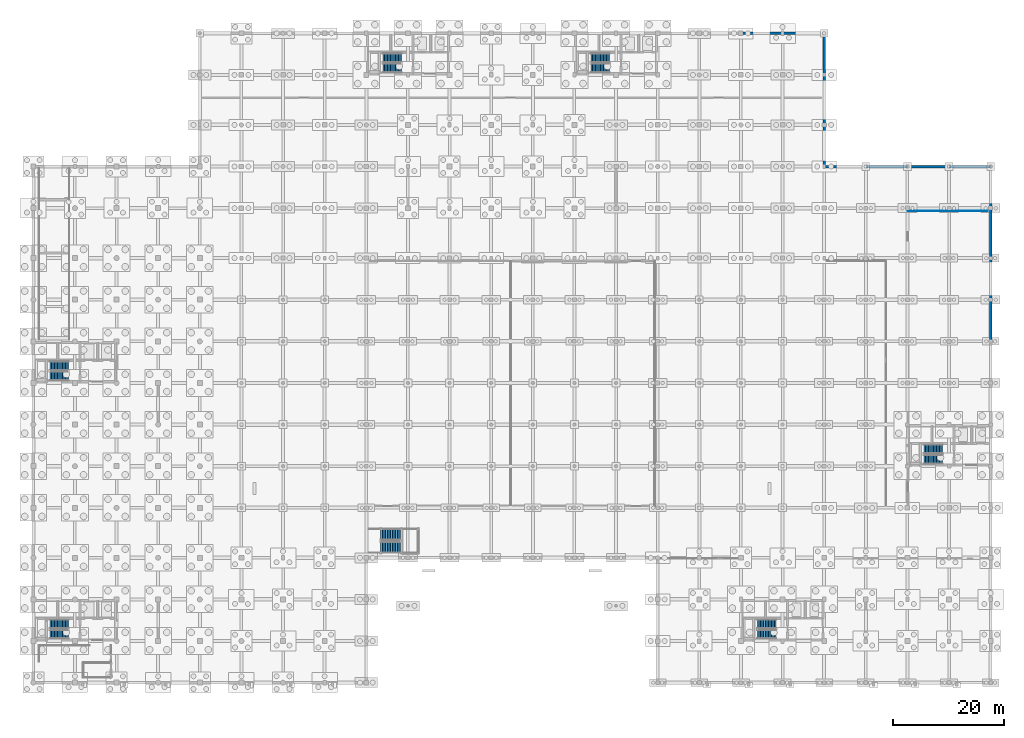
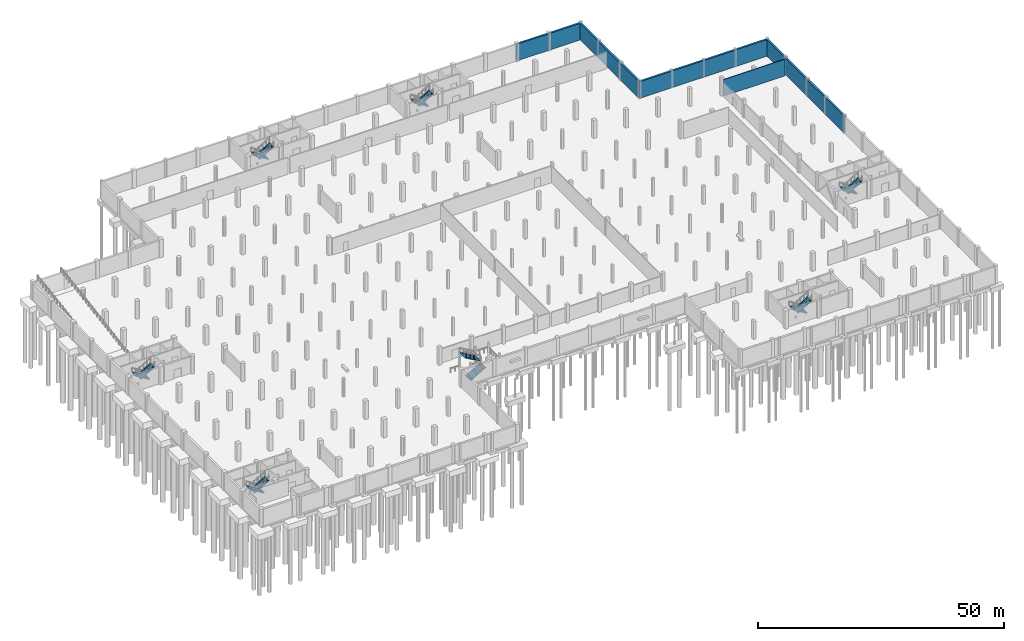
# One storey, part 32 of 42: 14 stair flights, 14 walls, 7 elements without a shape of their own.
"""IFC4 building model written with IfcOpenShell, lengths in metres."""

import ifcopenshell
import ifcopenshell.guid

model = None  # the IFC model being written
_history = None  # IfcOwnerHistory: only IFC2X3 demands one
_inside = {}  # id of a spatial element -> (the spatial element, [elements in it])
_under = {}  # id of a project, library or spatial element -> (it, [spatial elements below it])
_declared = {}  # id of a project -> (the project, [libraries it declares])
_typed = {}  # id of a type object -> (the type object, [elements of that type])
_made_of = {}  # id of a material, layer set ... -> (it, [elements and type objects made of it])


def new_model(schema):
    """Start an empty IFC model of exactly this schema.

    Asked for "IFC4X3", IfcOpenShell would pick the latest addendum, in which some entities
    have other attributes; the version numbers below select the first issue.
    IFC2X3 requires an IfcOwnerHistory on every rooted entity: one is made here for all.
    """
    global model, _history
    if schema == "IFC4X3":
        model = ifcopenshell.file(schema_version=(4, 3, 0, 0))
    else:
        model = ifcopenshell.file(schema=schema)
    _inside.clear()
    _under.clear()
    _declared.clear()
    _typed.clear()
    _made_of.clear()
    _history = None
    if model.schema == "IFC2X3":
        org = make("IfcOrganization", Name="unknown")
        user = make(
            "IfcPersonAndOrganization",
            ThePerson=make("IfcPerson", FamilyName="unknown"),
            TheOrganization=org,
        )
        app = make(
            "IfcApplication",
            ApplicationDeveloper=org,
            Version="unknown",
            ApplicationFullName="unknown",
            ApplicationIdentifier="unknown",
        )
        _history = make(
            "IfcOwnerHistory",
            OwningUser=user,
            OwningApplication=app,
            ChangeAction="ADDED",
            CreationDate=0,
        )
    return model


def make(cls, **values):
    """One entity of the class cls with the attributes given. An attribute that is None is left unset."""
    return model.create_entity(
        cls, **{name: value for name, value in values.items() if value is not None}
    )


def rooted(cls, **values):
    """An entity with a GlobalId (a new one), such as an element, a storey or a relation."""
    return make(cls, GlobalId=ifcopenshell.guid.new(), OwnerHistory=_history, **values)


def si_unit(unit_type, name, prefix=None):
    """IfcSIUnit, for example si_unit("LENGTHUNIT", "METRE", prefix="MILLI")."""
    return make("IfcSIUnit", UnitType=unit_type, Prefix=prefix, Name=name)


def assignment(units):
    """IfcUnitAssignment: the units of a project."""
    return None if units is None else make("IfcUnitAssignment", Units=units)


def point(xyz):
    """IfcCartesianPoint."""
    return None if xyz is None else make("IfcCartesianPoint", Coordinates=xyz)


def direction(xyz):
    """IfcDirection."""
    return None if xyz is None else make("IfcDirection", DirectionRatios=xyz)


def frame(location, z_axis=None, x_axis=None):
    """IfcAxis2Placement3D, a coordinate frame: its origin and axes. An axis left out is left unset."""
    return make(
        "IfcAxis2Placement3D",
        Location=point(location),
        Axis=direction(z_axis),
        RefDirection=direction(x_axis),
    )


def frame_2d(location, x_axis=None):
    """IfcAxis2Placement2D, a coordinate frame in the plane: its origin and x axis."""
    return make(
        "IfcAxis2Placement2D", Location=point(location), RefDirection=direction(x_axis)
    )


def origin():
    """The frame at (0, 0, 0) with its axes left unset."""
    return frame((0.0, 0.0, 0.0))


def place(relative_to, where):
    """IfcLocalPlacement: puts the frame where relative to a parent placement (None: the world)."""
    return make(
        "IfcLocalPlacement", PlacementRelTo=relative_to, RelativePlacement=where
    )


def context(
    kind, dimensions, precision=None, world=None, true_north=None, identifier=None
):
    """IfcGeometricRepresentationContext, for example the 3D "Model" context."""
    return make(
        "IfcGeometricRepresentationContext",
        ContextIdentifier=identifier,
        ContextType=kind,
        CoordinateSpaceDimension=dimensions,
        Precision=precision,
        WorldCoordinateSystem=world,
        TrueNorth=true_north,
    )


def subcontext(parent, identifier, kind, view, scale=None):
    """IfcGeometricRepresentationSubContext, for example "Body" below "Model"."""
    return make(
        "IfcGeometricRepresentationSubContext",
        ContextIdentifier=identifier,
        ContextType=kind,
        ParentContext=parent,
        TargetScale=scale,
        TargetView=view,
    )


def project(units=None, contexts=None):
    """IfcProject with its units and contexts."""
    return rooted(
        "IfcProject",
        Name="project",
        RepresentationContexts=contexts,
        UnitsInContext=assignment(units),
    )


def spatial(cls, under=None, at=None, **own):
    """A site, building, storey or space (cls), placed at a placement, below another one or the project."""
    s = rooted(cls, ObjectPlacement=at, **own)
    if under is not None:
        _under.setdefault(under.id(), (under, []))[1].append(s)
    return s


def polyline(points):
    """IfcPolyline through the points."""
    return make("IfcPolyline", Points=[point(p) for p in points])


def profile(cls, at=None, kind="AREA", **sizes):
    """A parametric profile (cls). Its sizes go by their IFC names, for example OverallWidth=200.0."""
    return make(cls, ProfileType=kind, Position=at, **sizes)


def rectangle(**sizes):
    """IfcRectangleProfileDef."""
    return profile("IfcRectangleProfileDef", **sizes)


def outline(outer, holes=None, kind="AREA"):
    """IfcArbitraryClosedProfileDef: a profile drawn as a closed curve; with holes, ...WithVoids."""
    if holes is None:
        return make("IfcArbitraryClosedProfileDef", ProfileType=kind, OuterCurve=outer)
    return make(
        "IfcArbitraryProfileDefWithVoids",
        ProfileType=kind,
        OuterCurve=outer,
        InnerCurves=holes,
    )


def extrude(swept, where, along, depth):
    """IfcExtrudedAreaSolid: the profile swept, set in the frame where, extruded along a direction by depth."""
    return make(
        "IfcExtrudedAreaSolid",
        SweptArea=swept,
        Position=where,
        ExtrudedDirection=direction(along),
        Depth=depth,
    )


def shape(context_of_items, identifier, shape_type, items):
    """IfcShapeRepresentation: the items that make up one representation, for example the "Body"."""
    return make(
        "IfcShapeRepresentation",
        ContextOfItems=context_of_items,
        RepresentationIdentifier=identifier,
        RepresentationType=shape_type,
        Items=items,
    )


def material(Name=None, Category=None):
    """IfcMaterial."""
    return make("IfcMaterial", Name=Name, Category=Category)


def layer(
    of_material, thickness, ventilated=None, Name=None, Category=None, Priority=None
):
    """IfcMaterialLayer: one layer of a wall or slab, of a material (None: an air gap)."""
    return make(
        "IfcMaterialLayer",
        Material=of_material,
        LayerThickness=thickness,
        IsVentilated=ventilated,
        Name=Name,
        Category=Category,
        Priority=Priority,
    )


def layer_set(layers, Name=None):
    """IfcMaterialLayerSet."""
    return make("IfcMaterialLayerSet", MaterialLayers=layers, LayerSetName=Name)


def made_of(thing, what):
    """Note that an element or type object is made of a material, layer set ...; save() writes the relation."""
    if what is not None:
        _made_of.setdefault(what.id(), (what, []))[1].append(thing)
    return thing


def type_object(cls, material=None, **own):
    """A type object (cls), such as IfcWallType, which elements share."""
    return made_of(rooted(cls, **own), material)


def element(
    cls,
    number,
    at=None,
    inside=None,
    cuts=None,
    type_object=None,
    material=None,
    context=None,
    identifier="Body",
    shape_type=None,
    held_by="IfcProductDefinitionShape",
    body=None,
    shapes=None,
    **own,
):
    """One element of the class cls, such as IfcWall. Its Tag is "e" and its number.

    at: its placement. inside: the storey or other place that contains it. cuts: it is an
    opening in that element (IfcRelVoidsElement). A single representation is given by context,
    identifier, shape_type and body (its items); several are given by shapes. held_by: the class
    of the entity that holds the representations. save() writes the other relations.
    """
    e = rooted(cls, Tag="e%d" % number, ObjectPlacement=at, **own)
    if body is not None:
        shapes = [shape(context, identifier, shape_type, body)]
    if shapes is not None:
        e.Representation = make(held_by, Representations=shapes)
    if inside is not None:
        _inside.setdefault(inside.id(), (inside, []))[1].append(e)
    if cuts is not None:
        rooted(
            "IfcRelVoidsElement", RelatingBuildingElement=cuts, RelatedOpeningElement=e
        )
    if type_object is not None:
        _typed.setdefault(type_object.id(), (type_object, []))[1].append(e)
    return made_of(e, material)


def aggregate(whole, parts):
    """IfcRelAggregates: a whole, such as a stair, and the parts it consists of."""
    return rooted("IfcRelAggregates", RelatingObject=whole, RelatedObjects=parts)


def save(model, path):
    """Write the relations noted so far, then the file.

    IfcRelAggregates (storeys below a building ...), IfcRelContainedInSpatialStructure (elements
    in a storey), IfcRelDefinesByType, IfcRelAssociatesMaterial and IfcRelDeclares: one each for
    every whole, place, type object, material and project.
    """
    for whole, parts in _under.values():
        aggregate(whole, parts)
    for where, things in _inside.values():
        rooted(
            "IfcRelContainedInSpatialStructure",
            RelatedElements=things,
            RelatingStructure=where,
        )
    for kind, things in _typed.values():
        rooted("IfcRelDefinesByType", RelatedObjects=things, RelatingType=kind)
    for what, things in _made_of.values():
        rooted("IfcRelAssociatesMaterial", RelatedObjects=things, RelatingMaterial=what)
    for by, libraries in _declared.values():
        rooted("IfcRelDeclares", RelatingContext=by, RelatedDefinitions=libraries)
    model.write(path)


model = new_model("IFC4")

# Units and contexts
model_context = context("Model", 3, precision=1e-05, world=origin(), true_north=direction((0.0, 1.0)))
body_context = subcontext(model_context, "Body", "Model", "MODEL_VIEW")
ifc_project = project(units=[si_unit("LENGTHUNIT", "METRE"), si_unit("AREAUNIT", "SQUARE_METRE"), si_unit("VOLUMEUNIT", "CUBIC_METRE"), si_unit("PLANEANGLEUNIT", "RADIAN"), si_unit("MASSUNIT", "GRAM", prefix="KILO")], contexts=[model_context])

# Site, building, storey
site_placement = place(None, origin())
site = spatial("IfcSite", under=ifc_project, at=site_placement, CompositionType="ELEMENT")
building_placement = place(site_placement, origin())
building = spatial("IfcBuilding", under=site, at=building_placement, Name="Dalvernix Boulevard General Hospital", CompositionType="ELEMENT")
storey_placement = place(building_placement, frame((0.0, 0.0, -4.5)))
storey = spatial("IfcBuildingStorey", under=building, at=storey_placement, Name="B1", CompositionType="ELEMENT", Elevation=-4.5)

# Walls
ifc_material_1 = material(Name="Acoustic double-stud gypsum inpatient partition")
ifc_layer_1 = layer(ifc_material_1, 0.14990234375)
ifc_layer_set_1 = layer_set([ifc_layer_1], Name="Acoustic double-stud gypsum inpatient partition (WAL-IW-04)")
wall_type_1 = type_object("IfcWallType", Name="WAL-IW-04", PredefinedType="PARTITIONING", material=ifc_layer_set_1)
wall_1_placement = place(storey_placement, frame((157.60009765625, 85.0, 0.0), z_axis=(0.0, 0.0, 1.0), x_axis=(1.0, 0.0, 0.0)))
element("IfcWall", 1, at=wall_1_placement, inside=storey, type_object=wall_type_1, Name="B1 Potable and Fire Water Treatment Plant Room partition", PredefinedType="PARTITIONING", context=body_context, shape_type="SweptSolid", body=[
    extrude(rectangle(XDim=14.39990234375, YDim=0.14990234375, at=frame_2d((7.199951171875, 0.0))), origin(), (0.0, 0.0, 1.0), 4.125),
])
ifc_material_2 = material(Name="Concrete C40/50", Category="concrete")
ifc_layer_2 = layer(ifc_material_2, 0.449951171875)
ifc_layer_set_2 = layer_set([ifc_layer_2], Name="Concrete C40/50 (WAL-RET-01)")
wall_type_2 = type_object("IfcWallType", Name="WAL-RET-01", PredefinedType="SOLIDWALL", material=ifc_layer_set_2)
for number, where, z_axis, x_axis, name in (
    (2, (127.5, 117.0, 0.0), (0.0, 0.0, 1.0), (1.0, 0.0, 0.0), "B1 basement retaining wall 28"),
    (3, (135.0, 117.0, 0.0), (0.0, 0.0, 1.0), (1.0, 0.0, 0.0), "B1 basement retaining wall 29"),
    (4, (142.5, 117.0, 0.0), (0.0, 0.0, 1.0), (0.0, -1.0, 0.0), "B1 basement retaining wall 30"),
):
    element("IfcWall", number, at=place(storey_placement, frame(where, z_axis=z_axis, x_axis=x_axis)), inside=storey, type_object=wall_type_2, Name=name, PredefinedType="SOLIDWALL", context=body_context, shape_type="SweptSolid", body=[
        extrude(rectangle(XDim=7.5, YDim=0.449951171875, at=frame_2d((3.75, 0.0))), origin(), (0.0, 0.0, 1.0), 4.139892578125),
    ])
wall_2_placement = place(storey_placement, frame((142.5, 109.5, 0.0), z_axis=(0.0, 0.0, 1.0), x_axis=(0.0, -1.0, 0.0)))
element("IfcWall", 5, at=wall_2_placement, inside=storey, type_object=wall_type_2, Name="B1 basement retaining wall 31", PredefinedType="SOLIDWALL", context=body_context, shape_type="SweptSolid", body=[
    extrude(rectangle(XDim=9.0, YDim=0.449951171875, at=frame_2d((4.5, 0.0))), origin(), (0.0, 0.0, 1.0), 4.139892578125),
])
for number, where, z_axis, x_axis, name in (
    (6, (142.5, 100.5, 0.0), (0.0, 0.0, 1.0), (0.0, -1.0, 0.0), "B1 basement retaining wall 32"),
    (7, (142.5, 93.0, 0.0), (0.0, 0.0, 1.0), (1.0, 0.0, 0.0), "B1 basement retaining wall 33"),
    (8, (150.0, 93.0, 0.0), (0.0, 0.0, 1.0), (1.0, 0.0, 0.0), "B1 basement retaining wall 34"),
    (9, (157.5, 93.0, 0.0), (0.0, 0.0, 1.0), (1.0, 0.0, 0.0), "B1 basement retaining wall 35"),
    (10, (165.0, 93.0, 0.0), (0.0, 0.0, 1.0), (1.0, 0.0, 0.0), "B1 basement retaining wall 36"),
    (11, (172.5, 93.0, 0.0), (0.0, 0.0, 1.0), (0.0, -1.0, 0.0), "B1 basement retaining wall 37"),
):
    element("IfcWall", number, at=place(storey_placement, frame(where, z_axis=z_axis, x_axis=x_axis)), inside=storey, type_object=wall_type_2, Name=name, PredefinedType="SOLIDWALL", context=body_context, shape_type="SweptSolid", body=[
        extrude(rectangle(XDim=7.5, YDim=0.449951171875, at=frame_2d((3.75, 0.0))), origin(), (0.0, 0.0, 1.0), 4.139892578125),
    ])
wall_3_placement = place(storey_placement, frame((172.5, 85.5, 0.0), z_axis=(0.0, 0.0, 1.0), x_axis=(0.0, -1.0, 0.0)))
element("IfcWall", 12, at=wall_3_placement, inside=storey, type_object=wall_type_2, Name="B1 basement retaining wall 38", PredefinedType="SOLIDWALL", context=body_context, shape_type="SweptSolid", body=[
    extrude(rectangle(XDim=9.0, YDim=0.449951171875, at=frame_2d((4.5, 0.0))), origin(), (0.0, 0.0, 1.0), 4.139892578125),
])
for number, where, z_axis, x_axis, name in (
    (13, (172.5, 76.5, 0.0), (0.0, 0.0, 1.0), (0.0, -1.0, 0.0), "B1 basement retaining wall 39"),
    (14, (172.5, 69.0, 0.0), (0.0, 0.0, 1.0), (0.0, -1.0, 0.0), "B1 basement retaining wall 40"),
):
    element("IfcWall", number, at=place(storey_placement, frame(where, z_axis=z_axis, x_axis=x_axis)), inside=storey, type_object=wall_type_2, Name=name, PredefinedType="SOLIDWALL", context=body_context, shape_type="SweptSolid", body=[
        extrude(rectangle(XDim=7.5, YDim=0.449951171875, at=frame_2d((3.75, 0.0))), origin(), (0.0, 0.0, 1.0), 4.139892578125),
    ])

# Stair, stair flights
ifc_material_3 = material(Name="Precast concrete C40/50", Category="concrete")
stair_type_1 = type_object("IfcStairType", Name="IFCSTAIR-STC-165x450", PredefinedType="HALF_TURN_STAIR", material=ifc_material_3)
stair_1_placement = place(storey_placement, origin())
stair_1 = element("IfcStair", 15, at=stair_1_placement, inside=storey, type_object=stair_type_1, Name="B1 Core C1 Exit Stair ST-01", PredefinedType="HALF_TURN_STAIR")
stair_flight_type_1 = type_object("IfcStairFlightType", Name="IFCSTAIRFLIGHT-STF-165x450", PredefinedType="STRAIGHT", material=ifc_material_3)
stair_flight_1_placement = place(storey_placement, frame((6.35009765625, 10.574951171875, 0.0), z_axis=(0.0, 0.0, 1.0), x_axis=(-1.0, 0.0, 0.0)))
stair_flight_1 = element("IfcStairFlight", 16, at=stair_flight_1_placement, type_object=stair_flight_type_1, Name="ST-01 flight 1", NumberOfRisers=13, NumberOfTreads=12, PredefinedType="STRAIGHT", RiserHeight=0.173076923, TreadLength=0.28, context=body_context, shape_type="SweptSolid", body=[
    extrude(outline(polyline([(0.0, 0.0), (0.0, 0.173095703125), (0.280029296875, 0.173095703125), (0.280029296875, 0.34619140625), (0.56005859375, 0.34619140625), (0.56005859375, 0.519287109375), (0.840087890625, 0.519287109375), (0.840087890625, 0.6923828125), (1.1201171875, 0.6923828125), (1.1201171875, 0.865478515625), (1.39990234375, 0.865478515625), (1.39990234375, 1.03857421875), (1.679931640625, 1.03857421875), (1.679931640625, 1.21142578125), (1.9599609375, 1.21142578125), (1.9599609375, 1.384521484375), (2.239990234375, 1.384521484375), (2.239990234375, 1.5576171875), (2.52001953125, 1.5576171875), (2.52001953125, 1.730712890625), (2.800048828125, 1.730712890625), (2.800048828125, 1.90380859375), (3.080078125, 1.90380859375), (3.080078125, 2.076904296875), (3.360107421875, 2.076904296875), (3.360107421875, 2.25), (3.360107421875, 1.900634765625), (0.28515625, 0.0), (0.0, 0.0)])), frame((0.0, 0.824951171875, 0.0), z_axis=(0.0, -1.0, 0.0), x_axis=(1.0, 0.0, 0.0)), (0.0, 0.0, 1.0), 1.64990234375),
])
stair_flight_2_placement = place(storey_placement, frame((2.989990234375, 8.72509765625, 2.25), z_axis=(0.0, 0.0, 1.0), x_axis=(1.0, 0.0, 0.0)))
stair_flight_2 = element("IfcStairFlight", 17, at=stair_flight_2_placement, type_object=stair_flight_type_1, Name="ST-01 flight 2", NumberOfRisers=13, NumberOfTreads=12, PredefinedType="STRAIGHT", RiserHeight=0.173076923, TreadLength=0.28, context=body_context, shape_type="SweptSolid", body=[
    extrude(outline(polyline([(0.0, 0.0), (0.0, 0.173095703125), (0.280029296875, 0.173095703125), (0.280029296875, 0.34619140625), (0.56005859375, 0.34619140625), (0.56005859375, 0.519287109375), (0.840087890625, 0.519287109375), (0.840087890625, 0.6923828125), (1.1201171875, 0.6923828125), (1.1201171875, 0.865478515625), (1.39990234375, 0.865478515625), (1.39990234375, 1.03857421875), (1.679931640625, 1.03857421875), (1.679931640625, 1.21142578125), (1.9599609375, 1.21142578125), (1.9599609375, 1.384521484375), (2.239990234375, 1.384521484375), (2.239990234375, 1.5576171875), (2.52001953125, 1.5576171875), (2.52001953125, 1.730712890625), (2.800048828125, 1.730712890625), (2.800048828125, 1.90380859375), (3.080078125, 1.90380859375), (3.080078125, 2.076904296875), (3.360107421875, 2.076904296875), (3.360107421875, 2.25), (3.360107421875, 1.900634765625), (0.28515625, 0.0), (0.0, 0.0)])), frame((0.0, 0.824951171875, 0.0), z_axis=(0.0, -1.0, 0.0), x_axis=(1.0, 0.0, 0.0)), (0.0, 0.0, 1.0), 1.64990234375),
])
aggregate(stair_1, [stair_flight_1, stair_flight_2])

stair_2_placement = place(storey_placement, origin())
stair_2 = element("IfcStair", 18, at=stair_2_placement, inside=storey, type_object=stair_type_1, Name="B1 Core C2 Exit Stair ST-02", PredefinedType="HALF_TURN_STAIR")
stair_flight_3_placement = place(storey_placement, frame((6.35009765625, 57.074951171875, 0.0), z_axis=(0.0, 0.0, 1.0), x_axis=(-1.0, 0.0, 0.0)))
stair_flight_3 = element("IfcStairFlight", 19, at=stair_flight_3_placement, type_object=stair_flight_type_1, Name="ST-02 flight 1", NumberOfRisers=13, NumberOfTreads=12, PredefinedType="STRAIGHT", RiserHeight=0.173076923, TreadLength=0.28, context=body_context, shape_type="SweptSolid", body=[
    extrude(outline(polyline([(0.0, 0.0), (0.0, 0.173095703125), (0.280029296875, 0.173095703125), (0.280029296875, 0.34619140625), (0.56005859375, 0.34619140625), (0.56005859375, 0.519287109375), (0.840087890625, 0.519287109375), (0.840087890625, 0.6923828125), (1.1201171875, 0.6923828125), (1.1201171875, 0.865478515625), (1.39990234375, 0.865478515625), (1.39990234375, 1.03857421875), (1.679931640625, 1.03857421875), (1.679931640625, 1.21142578125), (1.9599609375, 1.21142578125), (1.9599609375, 1.384521484375), (2.239990234375, 1.384521484375), (2.239990234375, 1.5576171875), (2.52001953125, 1.5576171875), (2.52001953125, 1.730712890625), (2.800048828125, 1.730712890625), (2.800048828125, 1.90380859375), (3.080078125, 1.90380859375), (3.080078125, 2.076904296875), (3.360107421875, 2.076904296875), (3.360107421875, 2.25), (3.360107421875, 1.900634765625), (0.28515625, 0.0), (0.0, 0.0)])), frame((0.0, 0.824951171875, 0.0), z_axis=(0.0, -1.0, 0.0), x_axis=(1.0, 0.0, 0.0)), (0.0, 0.0, 1.0), 1.64990234375),
])
stair_flight_4_placement = place(storey_placement, frame((2.989990234375, 55.22509765625, 2.25), z_axis=(0.0, 0.0, 1.0), x_axis=(1.0, 0.0, 0.0)))
stair_flight_4 = element("IfcStairFlight", 20, at=stair_flight_4_placement, type_object=stair_flight_type_1, Name="ST-02 flight 2", NumberOfRisers=13, NumberOfTreads=12, PredefinedType="STRAIGHT", RiserHeight=0.173076923, TreadLength=0.28, context=body_context, shape_type="SweptSolid", body=[
    extrude(outline(polyline([(0.0, 0.0), (0.0, 0.173095703125), (0.280029296875, 0.173095703125), (0.280029296875, 0.34619140625), (0.56005859375, 0.34619140625), (0.56005859375, 0.519287109375), (0.840087890625, 0.519287109375), (0.840087890625, 0.6923828125), (1.1201171875, 0.6923828125), (1.1201171875, 0.865478515625), (1.39990234375, 0.865478515625), (1.39990234375, 1.03857421875), (1.679931640625, 1.03857421875), (1.679931640625, 1.21142578125), (1.9599609375, 1.21142578125), (1.9599609375, 1.384521484375), (2.239990234375, 1.384521484375), (2.239990234375, 1.5576171875), (2.52001953125, 1.5576171875), (2.52001953125, 1.730712890625), (2.800048828125, 1.730712890625), (2.800048828125, 1.90380859375), (3.080078125, 1.90380859375), (3.080078125, 2.076904296875), (3.360107421875, 2.076904296875), (3.360107421875, 2.25), (3.360107421875, 1.900634765625), (0.28515625, 0.0), (0.0, 0.0)])), frame((0.0, 0.824951171875, 0.0), z_axis=(0.0, -1.0, 0.0), x_axis=(1.0, 0.0, 0.0)), (0.0, 0.0, 1.0), 1.64990234375),
])
aggregate(stair_2, [stair_flight_3, stair_flight_4])

stair_3_placement = place(storey_placement, origin())
stair_3 = element("IfcStair", 21, at=stair_3_placement, inside=storey, type_object=stair_type_1, Name="B1 Core C3 Exit Stair ST-03", PredefinedType="HALF_TURN_STAIR")
stair_flight_5_placement = place(storey_placement, frame((66.35009765625, 112.574951171875, 0.0), z_axis=(0.0, 0.0, 1.0), x_axis=(-1.0, 0.0, 0.0)))
stair_flight_5 = element("IfcStairFlight", 22, at=stair_flight_5_placement, type_object=stair_flight_type_1, Name="ST-03 flight 1", NumberOfRisers=13, NumberOfTreads=12, PredefinedType="STRAIGHT", RiserHeight=0.173076923, TreadLength=0.28, context=body_context, shape_type="SweptSolid", body=[
    extrude(outline(polyline([(0.0, 0.0), (0.0, 0.173095703125), (0.280029296875, 0.173095703125), (0.280029296875, 0.34619140625), (0.56005859375, 0.34619140625), (0.56005859375, 0.519287109375), (0.840087890625, 0.519287109375), (0.840087890625, 0.6923828125), (1.1201171875, 0.6923828125), (1.1201171875, 0.865478515625), (1.39990234375, 0.865478515625), (1.39990234375, 1.03857421875), (1.679931640625, 1.03857421875), (1.679931640625, 1.21142578125), (1.9599609375, 1.21142578125), (1.9599609375, 1.384521484375), (2.239990234375, 1.384521484375), (2.239990234375, 1.5576171875), (2.52001953125, 1.5576171875), (2.52001953125, 1.730712890625), (2.800048828125, 1.730712890625), (2.800048828125, 1.90380859375), (3.080078125, 1.90380859375), (3.080078125, 2.076904296875), (3.360107421875, 2.076904296875), (3.360107421875, 2.25), (3.360107421875, 1.900634765625), (0.28515625, 0.0), (0.0, 0.0)])), frame((0.0, 0.824951171875, 0.0), z_axis=(0.0, -1.0, 0.0), x_axis=(1.0, 0.0, 0.0)), (0.0, 0.0, 1.0), 1.64990234375),
])
stair_flight_6_placement = place(storey_placement, frame((62.989990234375, 110.72509765625, 2.25), z_axis=(0.0, 0.0, 1.0), x_axis=(1.0, 0.0, 0.0)))
stair_flight_6 = element("IfcStairFlight", 23, at=stair_flight_6_placement, type_object=stair_flight_type_1, Name="ST-03 flight 2", NumberOfRisers=13, NumberOfTreads=12, PredefinedType="STRAIGHT", RiserHeight=0.173076923, TreadLength=0.28, context=body_context, shape_type="SweptSolid", body=[
    extrude(outline(polyline([(0.0, 0.0), (0.0, 0.173095703125), (0.280029296875, 0.173095703125), (0.280029296875, 0.34619140625), (0.56005859375, 0.34619140625), (0.56005859375, 0.519287109375), (0.840087890625, 0.519287109375), (0.840087890625, 0.6923828125), (1.1201171875, 0.6923828125), (1.1201171875, 0.865478515625), (1.39990234375, 0.865478515625), (1.39990234375, 1.03857421875), (1.679931640625, 1.03857421875), (1.679931640625, 1.21142578125), (1.9599609375, 1.21142578125), (1.9599609375, 1.384521484375), (2.239990234375, 1.384521484375), (2.239990234375, 1.5576171875), (2.52001953125, 1.5576171875), (2.52001953125, 1.730712890625), (2.800048828125, 1.730712890625), (2.800048828125, 1.90380859375), (3.080078125, 1.90380859375), (3.080078125, 2.076904296875), (3.360107421875, 2.076904296875), (3.360107421875, 2.25), (3.360107421875, 1.900634765625), (0.28515625, 0.0), (0.0, 0.0)])), frame((0.0, 0.824951171875, 0.0), z_axis=(0.0, -1.0, 0.0), x_axis=(1.0, 0.0, 0.0)), (0.0, 0.0, 1.0), 1.64990234375),
])
aggregate(stair_3, [stair_flight_5, stair_flight_6])

stair_4_placement = place(storey_placement, origin())
stair_4 = element("IfcStair", 24, at=stair_4_placement, inside=storey, type_object=stair_type_1, Name="B1 Core C4 Exit Stair ST-04", PredefinedType="HALF_TURN_STAIR")
stair_flight_7_placement = place(storey_placement, frame((103.85009765625, 112.574951171875, 0.0), z_axis=(0.0, 0.0, 1.0), x_axis=(-1.0, 0.0, 0.0)))
stair_flight_7 = element("IfcStairFlight", 25, at=stair_flight_7_placement, type_object=stair_flight_type_1, Name="ST-04 flight 1", NumberOfRisers=13, NumberOfTreads=12, PredefinedType="STRAIGHT", RiserHeight=0.173076923, TreadLength=0.28, context=body_context, shape_type="SweptSolid", body=[
    extrude(outline(polyline([(0.0, 0.0), (0.0, 0.173095703125), (0.280029296875, 0.173095703125), (0.280029296875, 0.34619140625), (0.56005859375, 0.34619140625), (0.56005859375, 0.519287109375), (0.840087890625, 0.519287109375), (0.840087890625, 0.6923828125), (1.1201171875, 0.6923828125), (1.1201171875, 0.865478515625), (1.39990234375, 0.865478515625), (1.39990234375, 1.03857421875), (1.679931640625, 1.03857421875), (1.679931640625, 1.21142578125), (1.9599609375, 1.21142578125), (1.9599609375, 1.384521484375), (2.239990234375, 1.384521484375), (2.239990234375, 1.5576171875), (2.52001953125, 1.5576171875), (2.52001953125, 1.730712890625), (2.800048828125, 1.730712890625), (2.800048828125, 1.90380859375), (3.080078125, 1.90380859375), (3.080078125, 2.076904296875), (3.360107421875, 2.076904296875), (3.360107421875, 2.25), (3.360107421875, 1.900634765625), (0.28515625, 0.0), (0.0, 0.0)])), frame((0.0, 0.824951171875, 0.0), z_axis=(0.0, -1.0, 0.0), x_axis=(1.0, 0.0, 0.0)), (0.0, 0.0, 1.0), 1.64990234375),
])
stair_flight_8_placement = place(storey_placement, frame((100.489990234375, 110.72509765625, 2.25), z_axis=(0.0, 0.0, 1.0), x_axis=(1.0, 0.0, 0.0)))
stair_flight_8 = element("IfcStairFlight", 26, at=stair_flight_8_placement, type_object=stair_flight_type_1, Name="ST-04 flight 2", NumberOfRisers=13, NumberOfTreads=12, PredefinedType="STRAIGHT", RiserHeight=0.173076923, TreadLength=0.28, context=body_context, shape_type="SweptSolid", body=[
    extrude(outline(polyline([(0.0, 0.0), (0.0, 0.173095703125), (0.280029296875, 0.173095703125), (0.280029296875, 0.34619140625), (0.56005859375, 0.34619140625), (0.56005859375, 0.519287109375), (0.840087890625, 0.519287109375), (0.840087890625, 0.6923828125), (1.1201171875, 0.6923828125), (1.1201171875, 0.865478515625), (1.39990234375, 0.865478515625), (1.39990234375, 1.03857421875), (1.679931640625, 1.03857421875), (1.679931640625, 1.21142578125), (1.9599609375, 1.21142578125), (1.9599609375, 1.384521484375), (2.239990234375, 1.384521484375), (2.239990234375, 1.5576171875), (2.52001953125, 1.5576171875), (2.52001953125, 1.730712890625), (2.800048828125, 1.730712890625), (2.800048828125, 1.90380859375), (3.080078125, 1.90380859375), (3.080078125, 2.076904296875), (3.360107421875, 2.076904296875), (3.360107421875, 2.25), (3.360107421875, 1.900634765625), (0.28515625, 0.0), (0.0, 0.0)])), frame((0.0, 0.824951171875, 0.0), z_axis=(0.0, -1.0, 0.0), x_axis=(1.0, 0.0, 0.0)), (0.0, 0.0, 1.0), 1.64990234375),
])
aggregate(stair_4, [stair_flight_7, stair_flight_8])

stair_5_placement = place(storey_placement, origin())
stair_5 = element("IfcStair", 27, at=stair_5_placement, inside=storey, type_object=stair_type_1, Name="B1 Core C5 Exit Stair ST-05", PredefinedType="HALF_TURN_STAIR")
stair_flight_9_placement = place(storey_placement, frame((133.85009765625, 10.574951171875, 0.0), z_axis=(0.0, 0.0, 1.0), x_axis=(-1.0, 0.0, 0.0)))
stair_flight_9 = element("IfcStairFlight", 28, at=stair_flight_9_placement, type_object=stair_flight_type_1, Name="ST-05 flight 1", NumberOfRisers=13, NumberOfTreads=12, PredefinedType="STRAIGHT", RiserHeight=0.173076923, TreadLength=0.28, context=body_context, shape_type="SweptSolid", body=[
    extrude(outline(polyline([(0.0, 0.0), (0.0, 0.173095703125), (0.280029296875, 0.173095703125), (0.280029296875, 0.34619140625), (0.56005859375, 0.34619140625), (0.56005859375, 0.519287109375), (0.840087890625, 0.519287109375), (0.840087890625, 0.6923828125), (1.1201171875, 0.6923828125), (1.1201171875, 0.865478515625), (1.39990234375, 0.865478515625), (1.39990234375, 1.03857421875), (1.679931640625, 1.03857421875), (1.679931640625, 1.21142578125), (1.9599609375, 1.21142578125), (1.9599609375, 1.384521484375), (2.239990234375, 1.384521484375), (2.239990234375, 1.5576171875), (2.52001953125, 1.5576171875), (2.52001953125, 1.730712890625), (2.800048828125, 1.730712890625), (2.800048828125, 1.90380859375), (3.080078125, 1.90380859375), (3.080078125, 2.076904296875), (3.360107421875, 2.076904296875), (3.360107421875, 2.25), (3.360107421875, 1.900634765625), (0.28515625, 0.0), (0.0, 0.0)])), frame((0.0, 0.824951171875, 0.0), z_axis=(0.0, -1.0, 0.0), x_axis=(1.0, 0.0, 0.0)), (0.0, 0.0, 1.0), 1.64990234375),
])
stair_flight_10_placement = place(storey_placement, frame((130.489990234375, 8.72509765625, 2.25), z_axis=(0.0, 0.0, 1.0), x_axis=(1.0, 0.0, 0.0)))
stair_flight_10 = element("IfcStairFlight", 29, at=stair_flight_10_placement, type_object=stair_flight_type_1, Name="ST-05 flight 2", NumberOfRisers=13, NumberOfTreads=12, PredefinedType="STRAIGHT", RiserHeight=0.173076923, TreadLength=0.28, context=body_context, shape_type="SweptSolid", body=[
    extrude(outline(polyline([(0.0, 0.0), (0.0, 0.173095703125), (0.280029296875, 0.173095703125), (0.280029296875, 0.34619140625), (0.56005859375, 0.34619140625), (0.56005859375, 0.519287109375), (0.840087890625, 0.519287109375), (0.840087890625, 0.6923828125), (1.1201171875, 0.6923828125), (1.1201171875, 0.865478515625), (1.39990234375, 0.865478515625), (1.39990234375, 1.03857421875), (1.679931640625, 1.03857421875), (1.679931640625, 1.21142578125), (1.9599609375, 1.21142578125), (1.9599609375, 1.384521484375), (2.239990234375, 1.384521484375), (2.239990234375, 1.5576171875), (2.52001953125, 1.5576171875), (2.52001953125, 1.730712890625), (2.800048828125, 1.730712890625), (2.800048828125, 1.90380859375), (3.080078125, 1.90380859375), (3.080078125, 2.076904296875), (3.360107421875, 2.076904296875), (3.360107421875, 2.25), (3.360107421875, 1.900634765625), (0.28515625, 0.0), (0.0, 0.0)])), frame((0.0, 0.824951171875, 0.0), z_axis=(0.0, -1.0, 0.0), x_axis=(1.0, 0.0, 0.0)), (0.0, 0.0, 1.0), 1.64990234375),
])
aggregate(stair_5, [stair_flight_9, stair_flight_10])

stair_6_placement = place(storey_placement, origin())
stair_6 = element("IfcStair", 30, at=stair_6_placement, inside=storey, type_object=stair_type_1, Name="B1 Core C6 Exit Stair ST-06", PredefinedType="HALF_TURN_STAIR")
stair_flight_11_placement = place(storey_placement, frame((163.85009765625, 42.074951171875, 0.0), z_axis=(0.0, 0.0, 1.0), x_axis=(-1.0, 0.0, 0.0)))
stair_flight_11 = element("IfcStairFlight", 31, at=stair_flight_11_placement, type_object=stair_flight_type_1, Name="ST-06 flight 1", NumberOfRisers=13, NumberOfTreads=12, PredefinedType="STRAIGHT", RiserHeight=0.173076923, TreadLength=0.28, context=body_context, shape_type="SweptSolid", body=[
    extrude(outline(polyline([(0.0, 0.0), (0.0, 0.173095703125), (0.280029296875, 0.173095703125), (0.280029296875, 0.34619140625), (0.56005859375, 0.34619140625), (0.56005859375, 0.519287109375), (0.840087890625, 0.519287109375), (0.840087890625, 0.6923828125), (1.1201171875, 0.6923828125), (1.1201171875, 0.865478515625), (1.39990234375, 0.865478515625), (1.39990234375, 1.03857421875), (1.679931640625, 1.03857421875), (1.679931640625, 1.21142578125), (1.9599609375, 1.21142578125), (1.9599609375, 1.384521484375), (2.239990234375, 1.384521484375), (2.239990234375, 1.5576171875), (2.52001953125, 1.5576171875), (2.52001953125, 1.730712890625), (2.800048828125, 1.730712890625), (2.800048828125, 1.90380859375), (3.080078125, 1.90380859375), (3.080078125, 2.076904296875), (3.360107421875, 2.076904296875), (3.360107421875, 2.25), (3.360107421875, 1.900634765625), (0.28515625, 0.0), (0.0, 0.0)])), frame((0.0, 0.824951171875, 0.0), z_axis=(0.0, -1.0, 0.0), x_axis=(1.0, 0.0, 0.0)), (0.0, 0.0, 1.0), 1.64990234375),
])
stair_flight_12_placement = place(storey_placement, frame((160.489990234375, 40.22509765625, 2.25), z_axis=(0.0, 0.0, 1.0), x_axis=(1.0, 0.0, 0.0)))
stair_flight_12 = element("IfcStairFlight", 32, at=stair_flight_12_placement, type_object=stair_flight_type_1, Name="ST-06 flight 2", NumberOfRisers=13, NumberOfTreads=12, PredefinedType="STRAIGHT", RiserHeight=0.173076923, TreadLength=0.28, context=body_context, shape_type="SweptSolid", body=[
    extrude(outline(polyline([(0.0, 0.0), (0.0, 0.173095703125), (0.280029296875, 0.173095703125), (0.280029296875, 0.34619140625), (0.56005859375, 0.34619140625), (0.56005859375, 0.519287109375), (0.840087890625, 0.519287109375), (0.840087890625, 0.6923828125), (1.1201171875, 0.6923828125), (1.1201171875, 0.865478515625), (1.39990234375, 0.865478515625), (1.39990234375, 1.03857421875), (1.679931640625, 1.03857421875), (1.679931640625, 1.21142578125), (1.9599609375, 1.21142578125), (1.9599609375, 1.384521484375), (2.239990234375, 1.384521484375), (2.239990234375, 1.5576171875), (2.52001953125, 1.5576171875), (2.52001953125, 1.730712890625), (2.800048828125, 1.730712890625), (2.800048828125, 1.90380859375), (3.080078125, 1.90380859375), (3.080078125, 2.076904296875), (3.360107421875, 2.076904296875), (3.360107421875, 2.25), (3.360107421875, 1.900634765625), (0.28515625, 0.0), (0.0, 0.0)])), frame((0.0, 0.824951171875, 0.0), z_axis=(0.0, -1.0, 0.0), x_axis=(1.0, 0.0, 0.0)), (0.0, 0.0, 1.0), 1.64990234375),
])
aggregate(stair_6, [stair_flight_11, stair_flight_12])

stair_type_2 = type_object("IfcStairType", Name="IFCSTAIR-STC-205x450", PredefinedType="HALF_TURN_STAIR", material=ifc_material_3)
stair_7_placement = place(storey_placement, origin())
stair_7 = element("IfcStair", 33, at=stair_7_placement, inside=storey, type_object=stair_type_2, Name="B1 Arrival Hall Monumental Stair ST-07", PredefinedType="HALF_TURN_STAIR")
stair_flight_type_2 = type_object("IfcStairFlightType", Name="IFCSTAIRFLIGHT-STF-205x450", PredefinedType="STRAIGHT", material=ifc_material_3)
stair_flight_13_placement = place(storey_placement, frame((62.60009765625, 24.375, 0.0), z_axis=(0.0, 0.0, 1.0), x_axis=(1.0, 0.0, 0.0)))
stair_flight_13 = element("IfcStairFlight", 34, at=stair_flight_13_placement, type_object=stair_flight_type_2, Name="ST-07 flight 1", NumberOfRisers=13, NumberOfTreads=12, PredefinedType="STRAIGHT", RiserHeight=0.173076923, TreadLength=0.3, context=body_context, shape_type="SweptSolid", body=[
    extrude(outline(polyline([(0.0, 0.0), (0.0, 0.173095703125), (0.300048828125, 0.173095703125), (0.300048828125, 0.34619140625), (0.60009765625, 0.34619140625), (0.60009765625, 0.519287109375), (0.89990234375, 0.519287109375), (0.89990234375, 0.6923828125), (1.199951171875, 0.6923828125), (1.199951171875, 0.865478515625), (1.5, 0.865478515625), (1.5, 1.03857421875), (1.800048828125, 1.03857421875), (1.800048828125, 1.21142578125), (2.10009765625, 1.21142578125), (2.10009765625, 1.384521484375), (2.39990234375, 1.384521484375), (2.39990234375, 1.5576171875), (2.699951171875, 1.5576171875), (2.699951171875, 1.730712890625), (3.0, 1.730712890625), (3.0, 1.90380859375), (3.300048828125, 1.90380859375), (3.300048828125, 2.076904296875), (3.60009765625, 2.076904296875), (3.60009765625, 2.25), (3.60009765625, 1.90380859375), (0.300048828125, 0.0), (0.0, 0.0)])), frame((0.0, 1.02490234375, 0.0), z_axis=(0.0, -1.0, 0.0), x_axis=(1.0, 0.0, 0.0)), (0.0, 0.0, 1.0), 2.050048828125),
])
stair_flight_14_placement = place(storey_placement, frame((66.199951171875, 26.72509765625, 2.25), z_axis=(0.0, 0.0, 1.0), x_axis=(-1.0, 0.0, 0.0)))
stair_flight_14 = element("IfcStairFlight", 35, at=stair_flight_14_placement, type_object=stair_flight_type_2, Name="ST-07 flight 2", NumberOfRisers=13, NumberOfTreads=12, PredefinedType="STRAIGHT", RiserHeight=0.173076923, TreadLength=0.3, context=body_context, shape_type="SweptSolid", body=[
    extrude(outline(polyline([(0.0, 0.0), (0.0, 0.173095703125), (0.300048828125, 0.173095703125), (0.300048828125, 0.34619140625), (0.60009765625, 0.34619140625), (0.60009765625, 0.519287109375), (0.89990234375, 0.519287109375), (0.89990234375, 0.6923828125), (1.199951171875, 0.6923828125), (1.199951171875, 0.865478515625), (1.5, 0.865478515625), (1.5, 1.03857421875), (1.800048828125, 1.03857421875), (1.800048828125, 1.21142578125), (2.10009765625, 1.21142578125), (2.10009765625, 1.384521484375), (2.39990234375, 1.384521484375), (2.39990234375, 1.5576171875), (2.699951171875, 1.5576171875), (2.699951171875, 1.730712890625), (3.0, 1.730712890625), (3.0, 1.90380859375), (3.300048828125, 1.90380859375), (3.300048828125, 2.076904296875), (3.60009765625, 2.076904296875), (3.60009765625, 2.25), (3.60009765625, 1.90380859375), (0.300048828125, 0.0), (0.0, 0.0)])), frame((0.0, 1.02490234375, 0.0), z_axis=(0.0, -1.0, 0.0), x_axis=(1.0, 0.0, 0.0)), (0.0, 0.0, 1.0), 2.050048828125),
])
aggregate(stair_7, [stair_flight_13, stair_flight_14])

save(model, "model.ifc")
